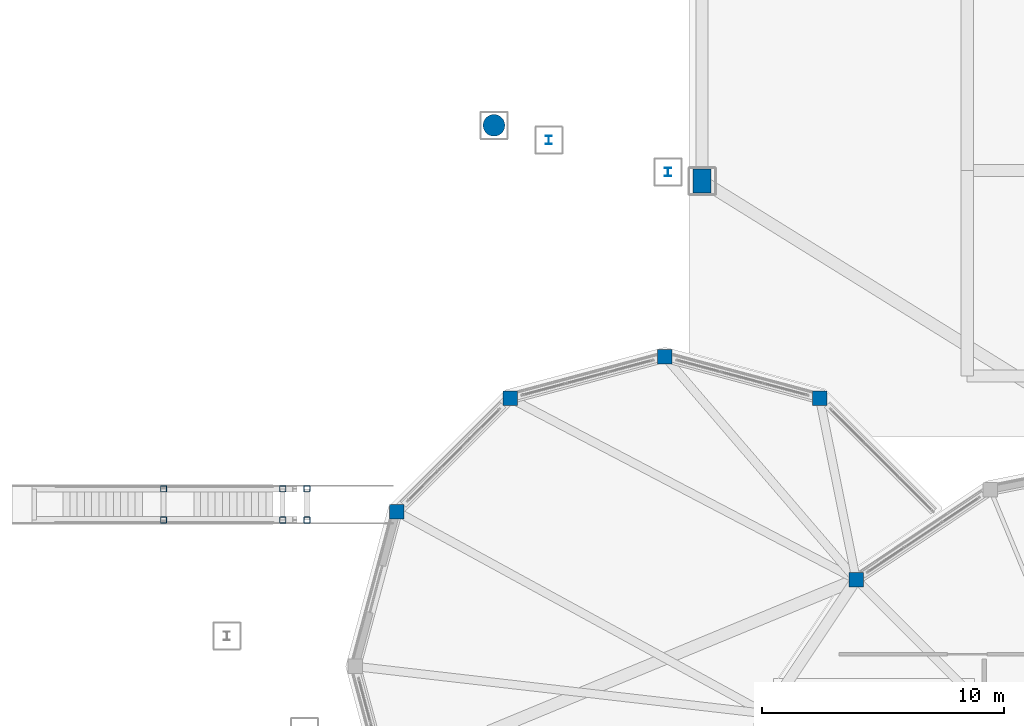
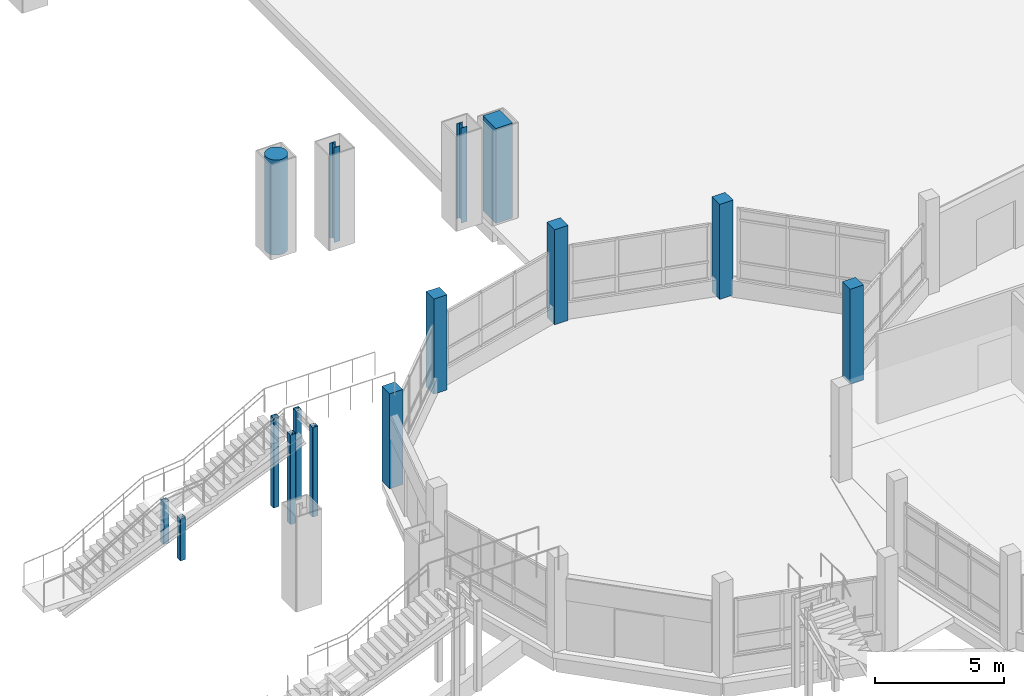
# One storey, part 7 of 129: 15 columns.
"""IFC4 building model written with IfcOpenShell, lengths in metres."""

from ifc_helpers import new_model, si_unit, direction, frame, origin, origin_2d, place, context, subcontext, project, spatial, rectangle, hollow_rectangle, circle, i_section, extrude, material, material_profile, profile_set, type_object, element, save


model = new_model("IFC4")

# Units and contexts
model_context = context("Model", 3, precision=1e-05, world=origin(), true_north=direction((0.0, 1.0)))
body_context = subcontext(model_context, "Body", "Model", "MODEL_VIEW")
ifc_project = project(units=[si_unit("LENGTHUNIT", "METRE"), si_unit("AREAUNIT", "SQUARE_METRE"), si_unit("VOLUMEUNIT", "CUBIC_METRE"), si_unit("PLANEANGLEUNIT", "RADIAN"), si_unit("MASSUNIT", "GRAM", prefix="KILO")], contexts=[model_context])

# Site, building, storey
site_placement = place(None, origin())
site = spatial("IfcSite", under=ifc_project, at=site_placement, CompositionType="ELEMENT")
building_placement = place(site_placement, origin())
building = spatial("IfcBuilding", under=site, at=building_placement, Name="Vespera Passage Community Centre", CompositionType="ELEMENT")
storey_placement = place(building_placement, origin())
storey = spatial("IfcBuildingStorey", under=building, at=storey_placement, Name="L00", CompositionType="ELEMENT", Elevation=0.0)

# Columns
ifc_material_1 = material(Name="Steel ASTM A500 Grade C", Category="steel")
ifc_material_profile_1 = material_profile(ifc_material_1, hollow_rectangle(XDim=0.25390625, YDim=0.25390625, WallThickness=0.01171875, InnerFilletRadius=0.01171875, OuterFilletRadius=0.023681640625, at=origin_2d()), Name="HSS254X254X12.7")
ifc_profile_set_1 = profile_set([ifc_material_profile_1], Name="Steel ASTM A500 Grade C")
column_type_1 = type_object("IfcColumnType", Name="COL-HSS254E", PredefinedType="COLUMN", material=ifc_profile_set_1)
for number, where, z_axis, x_axis, name in (
    (1, (100.27490234375, 39.554931640625, 0.0), (0.0, 0.0, 1.0), (1.0, 0.0, 0.0), "ST-CRT-02 Pier M1"),
    (2, (100.27490234375, 40.844970703125, 0.0), (0.0, 0.0, 1.0), (1.0, 0.0, 0.0), "ST-CRT-02 Pier M2"),
):
    element("IfcColumn", number, at=place(storey_placement, frame(where, z_axis=z_axis, x_axis=x_axis)), inside=storey, type_object=column_type_1, Name=name, PredefinedType="COLUMN", context=body_context, shape_type="SweptSolid", body=[
        extrude(hollow_rectangle(XDim=0.25390625, YDim=0.25390625, WallThickness=0.01171875, InnerFilletRadius=0.01171875, OuterFilletRadius=0.023681640625, at=origin_2d()), origin(), (0.0, 0.0, 1.0), 1.989990234375),
    ])
for number, where, z_axis, x_axis, name in (
    (3, (105.199951171875, 39.554931640625, 0.0), (0.0, 0.0, 1.0), (1.0, 0.0, 0.0), "ST-CRT-02 Pier T1"),
    (4, (105.199951171875, 40.844970703125, 0.0), (0.0, 0.0, 1.0), (1.0, 0.0, 0.0), "ST-CRT-02 Pier T2"),
    (5, (106.199951171875, 39.554931640625, 0.0), (0.0, 0.0, 1.0), (1.0, 0.0, 0.0), "ST-CRT-02 Pier TF1"),
    (6, (106.199951171875, 40.844970703125, 0.0), (0.0, 0.0, 1.0), (1.0, 0.0, 0.0), "ST-CRT-02 Pier TF2"),
):
    element("IfcColumn", number, at=place(storey_placement, frame(where, z_axis=z_axis, x_axis=x_axis)), inside=storey, type_object=column_type_1, Name=name, PredefinedType="COLUMN", context=body_context, shape_type="SweptSolid", body=[
        extrude(hollow_rectangle(XDim=0.25390625, YDim=0.25390625, WallThickness=0.01171875, InnerFilletRadius=0.01171875, OuterFilletRadius=0.023681640625, at=origin_2d()), origin(), (0.0, 0.0, 1.0), 4.239990234375),
    ])
ifc_material_2 = material(Name="Concrete f'c 45 MPa", Category="concrete")
ifc_material_profile_2 = material_profile(ifc_material_2, rectangle(XDim=0.75, YDim=1.0, at=origin_2d()), Name="RC1000X750")
ifc_profile_set_2 = profile_set([ifc_material_profile_2], Name="Concrete f'c 45 MPa")
column_type_2 = type_object("IfcColumnType", Name="COL-RC1000X750E", PredefinedType="COLUMN", material=ifc_profile_set_2)
column_1_placement = place(storey_placement, frame((122.529296875, 53.568359375, 0.0), z_axis=(0.0, 0.0, 1.0), x_axis=(1.0, 0.0, 0.0)))
element("IfcColumn", 7, at=column_1_placement, inside=storey, type_object=column_type_2, Name="L00 Column V4-O23", PredefinedType="COLUMN", context=body_context, shape_type="SweptSolid", body=[
    extrude(rectangle(XDim=0.75, YDim=1.0, at=origin_2d()), origin(), (0.0, 0.0, 1.0), 4.5),
])
ifc_material_3 = material(Name="Concrete f'c 45 MPa", Category="concrete")
ifc_material_profile_3 = material_profile(ifc_material_3, rectangle(XDim=0.60009765625, YDim=0.60009765625, at=origin_2d()), Name="RC600X600")
ifc_profile_set_3 = profile_set([ifc_material_profile_3], Name="Concrete f'c 45 MPa")
column_type_3 = type_object("IfcColumnType", Name="COL-RC600E", PredefinedType="COLUMN", material=ifc_profile_set_3)
for number, where, z_axis, x_axis, name in (
    (8, (128.908447265625, 37.091552734375, 0.0), (0.0, 0.0, 1.0), (1.0, 0.0, 0.0), "L00 Column V3-P07"),
    (9, (127.39990234375, 44.585205078125, 0.0), (0.0, 0.0, 1.0), (1.0, 0.0, 0.0), "L00 Column V3A-P03"),
    (10, (121.0, 46.300048828125, 0.0), (0.0, 0.0, 1.0), (1.0, 0.0, 0.0), "L00 Column V3A-P04"),
    (11, (114.60009765625, 44.585205078125, 0.0), (0.0, 0.0, 1.0), (1.0, 0.0, 0.0), "L00 Column V3A-P05"),
    (12, (109.914794921875, 39.89990234375, 0.0), (0.0, 0.0, 1.0), (1.0, 0.0, 0.0), "L00 Column V3A-P06"),
):
    element("IfcColumn", number, at=place(storey_placement, frame(where, z_axis=z_axis, x_axis=x_axis)), inside=storey, type_object=column_type_3, Name=name, PredefinedType="COLUMN", context=body_context, shape_type="SweptSolid", body=[
        extrude(rectangle(XDim=0.60009765625, YDim=0.60009765625, at=origin_2d()), origin(), (0.0, 0.0, 1.0), 4.5),
    ])
ifc_material_4 = material(Name="Concrete f'c 45 MPa", Category="concrete")
ifc_material_profile_4 = material_profile(ifc_material_4, circle(Radius=0.449951171875, at=origin_2d()), Name="RC900DIA")
ifc_profile_set_4 = profile_set([ifc_material_profile_4], Name="Concrete f'c 45 MPa")
column_type_4 = type_object("IfcColumnType", Name="COL-RC900DIAE", PredefinedType="COLUMN", material=ifc_profile_set_4)
column_2_placement = place(storey_placement, frame((113.932373046875, 55.871826171875, 0.0), z_axis=(0.0, 0.0, 1.0), x_axis=(1.0, 0.0, 0.0)))
element("IfcColumn", 13, at=column_2_placement, inside=storey, type_object=column_type_4, Name="L00 Column V4-I23", PredefinedType="COLUMN", context=body_context, shape_type="SweptSolid", body=[
    extrude(circle(Radius=0.449951171875, at=origin_2d()), origin(), (0.0, 0.0, 1.0), 4.5),
])
ifc_material_5 = material(Name="Steel ASTM A992 Grade 50", Category="steel")
ifc_material_profile_5 = material_profile(ifc_material_5, i_section(OverallWidth=0.2548828125, OverallDepth=0.356689453125, WebThickness=0.010498046875, FlangeThickness=0.018310546875, FilletRadius=0.01513671875, at=origin_2d()), Name="W14X68")
ifc_profile_set_5 = profile_set([ifc_material_profile_5], Name="Steel ASTM A992 Grade 50")
column_type_5 = type_object("IfcColumnType", Name="COL-W14X68I", PredefinedType="COLUMN", material=ifc_profile_set_5)
for number, where, z_axis, x_axis, name in (
    (14, (116.202392578125, 55.263671875, 0.0), (0.0, 0.0, 1.0), (1.0, 0.0, 0.0), "L00 Column TRANC-I230"),
    (15, (121.128662109375, 53.943603515625, 0.0), (0.0, 0.0, 1.0), (1.0, 0.0, 0.0), "L00 Column TRANC-O230"),
):
    element("IfcColumn", number, at=place(storey_placement, frame(where, z_axis=z_axis, x_axis=x_axis)), inside=storey, type_object=column_type_5, Name=name, PredefinedType="COLUMN", context=body_context, shape_type="SweptSolid", body=[
        extrude(i_section(OverallWidth=0.2548828125, OverallDepth=0.356689453125, WebThickness=0.010498046875, FlangeThickness=0.018310546875, FilletRadius=0.01513671875, at=origin_2d()), origin(), (0.0, 0.0, 1.0), 4.5),
    ])

save(model, "model.ifc")
